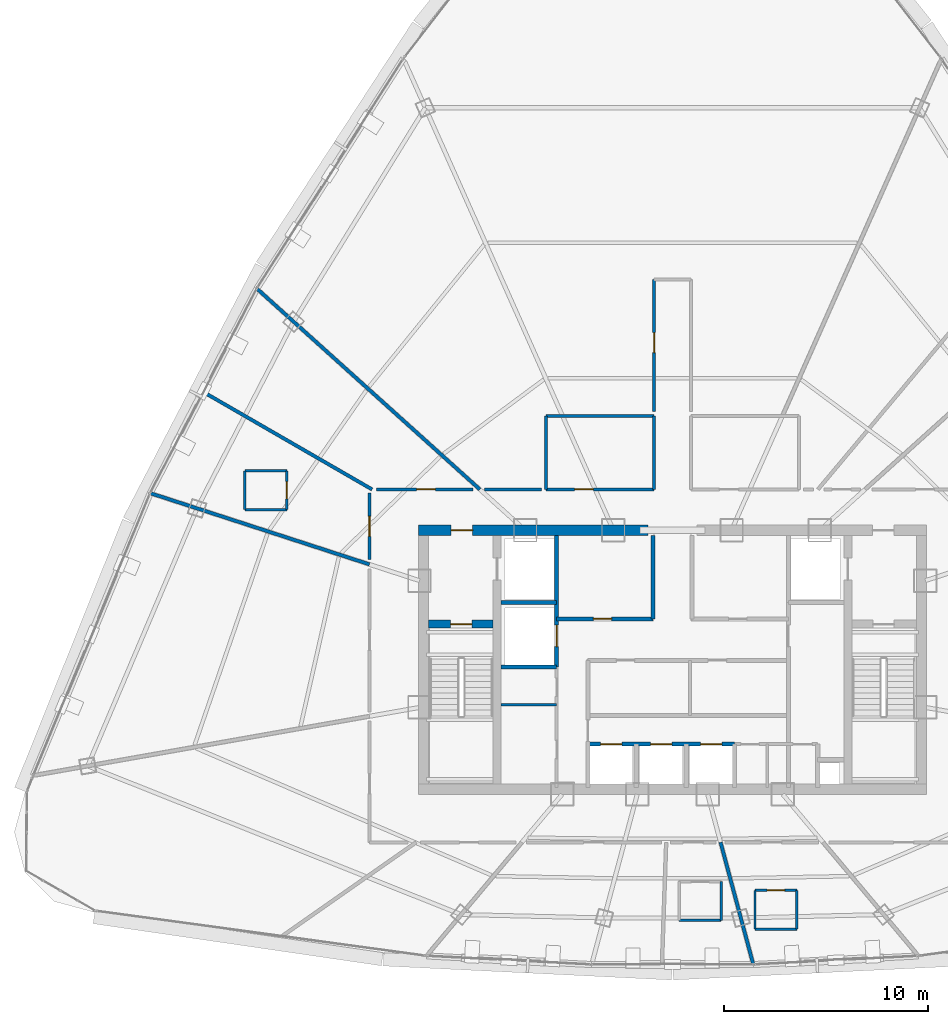
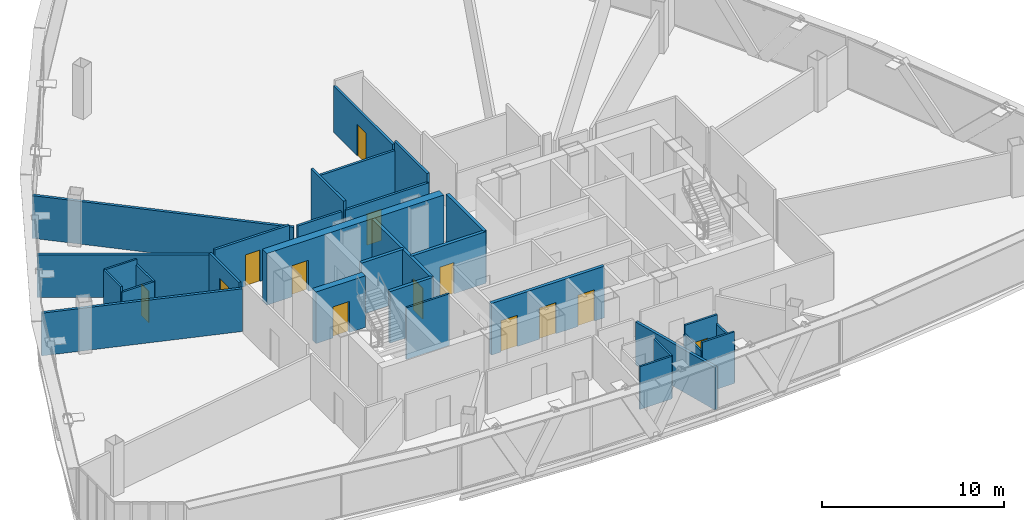
# One storey, part 34 of 39: 31 walls, 13 doors, 13 openings.
"""IFC4 building model written with IfcOpenShell, lengths in metres."""

from ifc_helpers import new_model, si_unit, direction, frame, frame_2d, origin, origin_with_axes, place, context, subcontext, project, spatial, rectangle, extrude, source, transform, mapped, material, layer, layer_set, type_object, element, fill, save


model = new_model("IFC4")

# Units and contexts
model_context = context("Model", 3, precision=1e-05, world=origin(), true_north=direction((0.0, 1.0)))
body_context = subcontext(model_context, "Body", "Model", "MODEL_VIEW")
ifc_project = project(units=[si_unit("LENGTHUNIT", "METRE"), si_unit("AREAUNIT", "SQUARE_METRE"), si_unit("VOLUMEUNIT", "CUBIC_METRE"), si_unit("PLANEANGLEUNIT", "RADIAN"), si_unit("MASSUNIT", "GRAM", prefix="KILO"), si_unit("THERMODYNAMICTEMPERATUREUNIT", "KELVIN"), si_unit("POWERUNIT", "WATT")], contexts=[model_context])

# Site, building, storey
site_placement = place(None, origin())
site = spatial("IfcSite", under=ifc_project, at=site_placement, CompositionType="ELEMENT")
building_placement = place(site_placement, origin())
building = spatial("IfcBuilding", under=site, at=building_placement, Name="Yunzhuo Pagoda Commons", CompositionType="ELEMENT")
storey_placement = place(building_placement, frame((0.0, 0.0, 296.2099609375)))
storey = spatial("IfcBuildingStorey", under=building, at=storey_placement, Name="L74", CompositionType="ELEMENT", Elevation=296.2099609375)

# Wall, opening, door
ifc_material_1 = material(Name="Concrete C50", Category="concrete")
ifc_layer_1 = layer(ifc_material_1, 0.5)
ifc_layer_set_1 = layer_set([ifc_layer_1], Name="Concrete C50")
wall_type_1 = type_object("IfcWallType", Name="W-C03 Upper Core Shear Wall 500", PredefinedType="SHEAR", material=ifc_layer_set_1)
wall_1_placement = place(storey_placement, frame((35.550048828125, 40.199951171875, 0.0), z_axis=(0.0, 0.0, 1.0), x_axis=(1.0, 0.0, 0.0)))
wall_1 = element("IfcWall", 1, at=wall_1_placement, inside=storey, type_object=wall_type_1, Name="L74 core shear wall NW", PredefinedType="SHEAR", context=body_context, shape_type="SweptSolid", body=[
    extrude(rectangle(XDim=11.25, YDim=0.5, at=frame_2d((5.625, 0.0))), origin(), (0.0, 0.0, 1.0), 3.469970703125),
])
opening_1_placement = place(wall_1_placement, frame((1.60009765625, 0.0, 0.0)))
opening_1 = element("IfcOpeningElement", 2, at=opening_1_placement, cuts=wall_1, Name="Opening D-02", PredefinedType="OPENING", context=body_context, shape_type="SweptSolid", body=[
    extrude(rectangle(XDim=1.050048828125, YDim=2.10009765625, at=frame_2d((0.52490234375, 1.050048828125))), frame((0.0, 0.260009765625, 0.0), z_axis=(0.0, -1.0, 0.0), x_axis=(1.0, 0.0, 0.0)), (0.0, 0.0, 1.0), 0.52001953125),
])
ifc_material_2 = material(Name="Galvanized fire-resisting metal leaf")
door_type_1 = type_object("IfcDoorType", Name="D-02 Firefighting Lobby & Refuge Fire Door 1050x2100", OperationType="NOTDEFINED", PredefinedType="DOOR", material=ifc_material_2)
shared_shape_1 = source(origin(), body_context, "Body", "SweptSolid", [
    extrude(rectangle(XDim=1.050048828125, YDim=2.10009765625, at=frame_2d((0.52490234375, 1.050048828125))), frame((0.0, 0.02490234375, 0.0), z_axis=(0.0, -1.0, 0.0), x_axis=(1.0, 0.0, 0.0)), (0.0, 0.0, 1.0), 0.050048828125),
])
door_1_placement = place(opening_1_placement, frame((1.050048828125, 0.0, 0.0), z_axis=(0.0, 0.0, 1.0), x_axis=(-1.0, 0.0, 0.0)))
door_1 = element("IfcDoor", 3, at=door_1_placement, inside=storey, type_object=door_type_1, Name="L74 Firefighting Lobby 1 fire door", OperationType="SINGLE_SWING_LEFT", OverallHeight=2.10009765625, OverallWidth=1.050048828125, PredefinedType="DOOR", context=body_context, shape_type="MappedRepresentation", body=[
    mapped(shared_shape_1, transform((0.0, 0.0, 0.0), scale=1.0)),
])
fill(opening_1, door_1)

ifc_material_3 = material(Name="Gypsum plasterboard on acoustic stud")
ifc_layer_2 = layer(ifc_material_3, 0.14990234375)
ifc_layer_set_2 = layer_set([ifc_layer_2], Name="Gypsum plasterboard on acoustic stud")
wall_type_2 = type_object("IfcWallType", Name="W-COR3 High-Zone Rated Corridor Wall 150", PredefinedType="PARTITIONING", material=ifc_layer_set_2)
wall_2_placement = place(storey_placement, frame((41.800048828125, 42.199951171875, 0.0), z_axis=(0.0, 0.0, 1.0), x_axis=(1.0, 0.0, 0.0)))
wall_2 = element("IfcWall", 4, at=wall_2_placement, inside=storey, type_object=wall_type_2, Name="L74 interior wall IW-L74-TFWS", PredefinedType="PARTITIONING", context=body_context, shape_type="SweptSolid", body=[
    extrude(rectangle(XDim=5.300048828125, YDim=0.14990234375, at=frame_2d((2.64990234375, 0.0))), origin(), (0.0, 0.0, 1.0), 2.8701171875),
])
opening_2_placement = place(wall_2_placement, frame((1.39990234375, 0.0, 0.0)))
opening_2 = element("IfcOpeningElement", 5, at=opening_2_placement, cuts=wall_2, Name="Opening D-04", PredefinedType="OPENING", context=body_context, shape_type="SweptSolid", body=[
    extrude(rectangle(XDim=0.919921875, YDim=2.10009765625, at=frame_2d((0.4599609375, 1.050048828125))), frame((0.0, 0.0849609375, 0.0), z_axis=(0.0, -1.0, 0.0), x_axis=(1.0, 0.0, 0.0)), (0.0, 0.0, 1.0), 0.169921875),
])
ifc_material_4 = material(Name="Powder-coated aluminium and timber acoustic leaf", Category="wood")
door_type_2 = type_object("IfcDoorType", Name="D-04 Bedroom & Study Interior Door 920x2100", OperationType="NOTDEFINED", PredefinedType="DOOR", material=ifc_material_4)
shared_shape_2 = source(origin(), body_context, "Body", "SweptSolid", [
    extrude(rectangle(XDim=0.919921875, YDim=2.10009765625, at=frame_2d((0.4599609375, 1.050048828125))), frame((0.0, 0.02490234375, 0.0), z_axis=(0.0, -1.0, 0.0), x_axis=(1.0, 0.0, 0.0)), (0.0, 0.0, 1.0), 0.050048828125),
])
door_2_placement = place(opening_2_placement, frame((0.919921875, 0.0, 0.0), z_axis=(0.0, 0.0, 1.0), x_axis=(-1.0, 0.0, 0.0)))
door_2 = element("IfcDoor", 6, at=door_2_placement, inside=storey, type_object=door_type_2, Name="L74 laundry door", OperationType="SINGLE_SWING_LEFT", OverallHeight=2.10009765625, OverallWidth=0.919921875, PredefinedType="DOOR", context=body_context, shape_type="MappedRepresentation", body=[
    mapped(shared_shape_2, transform((0.0, 0.0, 0.0), scale=1.0)),
])
fill(opening_2, door_2)

# Walls
wall_3_placement = place(storey_placement, frame((41.800048828125, 45.800048828125, 0.0), z_axis=(0.0, 0.0, 1.0), x_axis=(1.0, 0.0, 0.0)))
element("IfcWall", 7, at=wall_3_placement, inside=storey, type_object=wall_type_2, Name="L74 interior wall IW-L74-TFWN", PredefinedType="PARTITIONING", context=body_context, shape_type="SweptSolid", body=[
    extrude(rectangle(XDim=5.300048828125, YDim=0.14990234375, at=frame_2d((2.64990234375, 0.0))), origin(), (0.0, 0.0, 1.0), 2.8701171875),
])
for number, where, z_axis, x_axis, name in (
    (8, (41.800048828125, 42.199951171875, 0.0), (0.0, 0.0, 1.0), (0.0, 1.0, 0.0), "L74 interior wall IW-L74-TFWW"),
    (9, (47.10009765625, 42.199951171875, 0.0), (0.0, 0.0, 1.0), (0.0, 1.0, 0.0), "L74 interior wall IW-L74-TFWE"),
):
    element("IfcWall", number, at=place(storey_placement, frame(where, z_axis=z_axis, x_axis=x_axis)), inside=storey, type_object=wall_type_2, Name=name, PredefinedType="PARTITIONING", context=body_context, shape_type="SweptSolid", body=[
        extrude(rectangle(XDim=3.60009765625, YDim=0.14990234375, at=frame_2d((1.800048828125, 0.0))), origin(), (0.0, 0.0, 1.0), 3.469970703125),
    ])

# Wall, opening, door
wall_4_placement = place(storey_placement, frame((33.14990234375, 38.75634765625, 0.0), z_axis=(0.0, 0.0, 1.0), x_axis=(0.0, 1.0, 0.0)))
wall_4 = element("IfcWall", 10, at=wall_4_placement, inside=storey, type_object=wall_type_2, Name="L74 interior wall IW-L74-CWL03", PredefinedType="PARTITIONING", context=body_context, shape_type="SweptSolid", body=[
    extrude(rectangle(XDim=3.26318359375, YDim=0.14990234375, at=frame_2d((1.631591796875, 0.0))), origin(), (0.0, 0.0, 1.0), 3.1201171875),
])
opening_3_placement = place(wall_4_placement, frame((1.140380859375, 0.0, 0.0)))
opening_3 = element("IfcOpeningElement", 11, at=opening_3_placement, cuts=wall_4, Name="Opening D-08", PredefinedType="OPENING", context=body_context, shape_type="SweptSolid", body=[
    extrude(rectangle(XDim=0.97998046875, YDim=2.1201171875, at=frame_2d((0.489990234375, 1.06005859375))), frame((0.0, 0.0849609375, 0.0), z_axis=(0.0, -1.0, 0.0), x_axis=(1.0, 0.0, 0.0)), (0.0, 0.0, 1.0), 0.169921875),
])
door_type_3 = type_object("IfcDoorType", Name="D-08 High-Zone Suite Entrance Fire Door 980x2120", OperationType="NOTDEFINED", PredefinedType="DOOR", material=ifc_material_2)
shared_shape_3 = source(origin(), body_context, "Body", "SweptSolid", [
    extrude(rectangle(XDim=0.97998046875, YDim=2.1201171875, at=frame_2d((0.489990234375, 1.06005859375))), frame((0.0, 0.02490234375, 0.0), z_axis=(0.0, -1.0, 0.0), x_axis=(1.0, 0.0, 0.0)), (0.0, 0.0, 1.0), 0.050048828125),
])
door_3_placement = place(opening_3_placement, origin_with_axes())
door_3 = element("IfcDoor", 12, at=door_3_placement, inside=storey, type_object=door_type_3, Name="L74 unit 07 entrance door", OperationType="SINGLE_SWING_RIGHT", OverallHeight=2.1201171875, OverallWidth=0.97998046875, PredefinedType="DOOR", context=body_context, shape_type="MappedRepresentation", body=[
    mapped(shared_shape_3, transform((0.0, 0.0, 0.0), scale=1.0)),
])
fill(opening_3, door_3)

wall_5_placement = place(storey_placement, frame((33.497314453125, 42.199951171875, 0.0), z_axis=(0.0, 0.0, 1.0), x_axis=(1.0, 0.0, 0.0)))
wall_5 = element("IfcWall", 13, at=wall_5_placement, inside=storey, type_object=wall_type_2, Name="L74 interior wall IW-L74-CWL04", PredefinedType="PARTITIONING", context=body_context, shape_type="SweptSolid", body=[
    extrude(rectangle(XDim=4.733642578125, YDim=0.14990234375, at=frame_2d((2.36669921875, 0.0))), origin(), (0.0, 0.0, 1.0), 3.1201171875),
])
opening_4_placement = place(wall_5_placement, frame((1.961181640625, 0.0, 0.0)))
opening_4 = element("IfcOpeningElement", 14, at=opening_4_placement, cuts=wall_5, Name="Opening D-04", PredefinedType="OPENING", context=body_context, shape_type="SweptSolid", body=[
    extrude(rectangle(XDim=0.919921875, YDim=2.10009765625, at=frame_2d((0.4599609375, 1.050048828125))), frame((0.0, 0.0849609375, 0.0), z_axis=(0.0, -1.0, 0.0), x_axis=(1.0, 0.0, 0.0)), (0.0, 0.0, 1.0), 0.169921875),
])
door_4_placement = place(opening_4_placement, origin_with_axes())
door_4 = element("IfcDoor", 15, at=door_4_placement, inside=storey, type_object=door_type_2, Name="L74 seminar room 06 door", OperationType="SINGLE_SWING_LEFT", OverallHeight=2.10009765625, OverallWidth=0.919921875, PredefinedType="DOOR", context=body_context, shape_type="MappedRepresentation", body=[
    mapped(shared_shape_2, transform((0.0, 0.0, 0.0), scale=1.0)),
])
fill(opening_4, door_4)

# Wall
wall_6_placement = place(storey_placement, frame((38.779541015625, 42.199951171875, 0.0), z_axis=(0.0, 0.0, 1.0), x_axis=(1.0, 0.0, 0.0)))
element("IfcWall", 16, at=wall_6_placement, inside=storey, type_object=wall_type_2, Name="L74 interior wall IW-L74-CWL05", PredefinedType="PARTITIONING", context=body_context, shape_type="SweptSolid", body=[
    extrude(rectangle(XDim=2.800537109375, YDim=0.14990234375, at=frame_2d((1.400390625, 0.0))), origin(), (0.0, 0.0, 1.0), 2.8701171875),
])

# Wall, opening, door
wall_7_placement = place(storey_placement, frame((47.10009765625, 46.02001953125, 0.0), z_axis=(0.0, 0.0, 1.0), x_axis=(0.0, 1.0, 0.0)))
wall_7 = element("IfcWall", 17, at=wall_7_placement, inside=storey, type_object=wall_type_2, Name="L74 interior wall IW-L74-CWL06", PredefinedType="PARTITIONING", context=body_context, shape_type="SweptSolid", body=[
    extrude(rectangle(XDim=6.47998046875, YDim=0.14990234375, at=frame_2d((3.239990234375, 0.0))), origin(), (0.0, 0.0, 1.0), 3.1201171875),
])
opening_5_placement = place(wall_7_placement, frame((2.885009765625, 0.0, 0.0)))
opening_5 = element("IfcOpeningElement", 18, at=opening_5_placement, cuts=wall_7, Name="Opening D-08", PredefinedType="OPENING", context=body_context, shape_type="SweptSolid", body=[
    extrude(rectangle(XDim=0.97998046875, YDim=2.1201171875, at=frame_2d((0.489990234375, 1.06005859375))), frame((0.0, 0.0849609375, 0.0), z_axis=(0.0, -1.0, 0.0), x_axis=(1.0, 0.0, 0.0)), (0.0, 0.0, 1.0), 0.169921875),
])
door_5_placement = place(opening_5_placement, origin_with_axes())
door_5 = element("IfcDoor", 19, at=door_5_placement, inside=storey, type_object=door_type_3, Name="L74 Shared Resident Kitchen and Pantry door", OperationType="SINGLE_SWING_RIGHT", OverallHeight=2.1201171875, OverallWidth=0.97998046875, PredefinedType="DOOR", context=body_context, shape_type="MappedRepresentation", body=[
    mapped(shared_shape_3, transform((0.0, 0.0, 0.0), scale=1.0)),
])
fill(opening_5, door_5)

# Walls
ifc_layer_3 = layer(ifc_material_3, 0.1201171875)
ifc_layer_set_3 = layer_set([ifc_layer_3], Name="Gypsum plasterboard on acoustic stud")
wall_type_3 = type_object("IfcWallType", Name="W-PRT1 Suite & Bathroom Partition 120", PredefinedType="PARTITIONING", material=ifc_layer_set_3)
wall_8_placement = place(storey_placement, frame((39.60009765625, 31.64990234375, 0.0), z_axis=(0.0, 0.0, 1.0), x_axis=(1.0, 0.0, 0.0)))
element("IfcWall", 20, at=wall_8_placement, inside=storey, type_object=wall_type_3, Name="L74 interior wall IW-L74-CD1", PredefinedType="PARTITIONING", context=body_context, shape_type="SweptSolid", body=[
    extrude(rectangle(XDim=2.719970703125, YDim=0.1201171875, at=frame_2d((1.35986328125, 0.0))), origin(), (0.0, 0.0, 1.0), 3.469970703125),
])
wall_9_placement = place(storey_placement, frame((27.0458984375, 41.212890625, 0.0), z_axis=(0.0, 0.0, 1.0), x_axis=(1.0, 0.0, 0.0)))
element("IfcWall", 21, at=wall_9_placement, inside=storey, type_object=wall_type_3, Name="L74 interior wall IW-L74-B07S", PredefinedType="PARTITIONING", context=body_context, shape_type="SweptSolid", body=[
    extrude(rectangle(XDim=2.050048828125, YDim=0.1201171875, at=frame_2d((1.02490234375, 0.0))), origin(), (0.0, 0.0, 1.0), 3.1201171875),
])

# Wall, opening, door
wall_10_placement = place(storey_placement, frame((29.095947265625, 41.212890625, 0.0), z_axis=(0.0, 0.0, 1.0), x_axis=(0.0, 1.0, 0.0)))
wall_10 = element("IfcWall", 22, at=wall_10_placement, inside=storey, type_object=wall_type_3, Name="L74 interior wall IW-L74-B07E", PredefinedType="PARTITIONING", context=body_context, shape_type="SweptSolid", body=[
    extrude(rectangle(XDim=1.900146484375, YDim=0.1201171875, at=frame_2d((0.9501953125, 0.0))), origin(), (0.0, 0.0, 1.0), 3.1201171875),
])
opening_6_placement = place(wall_10_placement, frame((0.52490234375, 0.0, 0.0)))
opening_6 = element("IfcOpeningElement", 23, at=opening_6_placement, cuts=wall_10, Name="Opening D-05", PredefinedType="OPENING", context=body_context, shape_type="SweptSolid", body=[
    extrude(rectangle(XDim=0.85009765625, YDim=2.10009765625, at=frame_2d((0.425048828125, 1.050048828125))), frame((0.0, 0.070068359375, 0.0), z_axis=(0.0, -1.0, 0.0), x_axis=(1.0, 0.0, 0.0)), (0.0, 0.0, 1.0), 0.14013671875),
])
door_type_4 = type_object("IfcDoorType", Name="D-05 En-Suite Bathroom Door 850x2100", OperationType="NOTDEFINED", PredefinedType="DOOR", material=ifc_material_4)
shared_shape_4 = source(origin(), body_context, "Body", "SweptSolid", [
    extrude(rectangle(XDim=0.85009765625, YDim=2.10009765625, at=frame_2d((0.425048828125, 1.050048828125))), frame((0.0, 0.02490234375, 0.0), z_axis=(0.0, -1.0, 0.0), x_axis=(1.0, 0.0, 0.0)), (0.0, 0.0, 1.0), 0.050048828125),
])
door_6_placement = place(opening_6_placement, frame((0.85009765625, 0.0, 0.0), z_axis=(0.0, 0.0, 1.0), x_axis=(-1.0, 0.0, 0.0)))
door_6 = element("IfcDoor", 24, at=door_6_placement, inside=storey, type_object=door_type_4, Name="L74 unit 07 bathroom door", OperationType="SINGLE_SWING_RIGHT", OverallHeight=2.10009765625, OverallWidth=0.85009765625, PredefinedType="DOOR", context=body_context, shape_type="MappedRepresentation", body=[
    mapped(shared_shape_4, transform((0.0, 0.0, 0.0), scale=1.0)),
])
fill(opening_6, door_6)

# Walls
wall_11_placement = place(storey_placement, frame((29.095947265625, 43.113037109375, 0.0), z_axis=(0.0, 0.0, 1.0), x_axis=(-1.0, 0.0, 0.0)))
element("IfcWall", 25, at=wall_11_placement, inside=storey, type_object=wall_type_3, Name="L74 interior wall IW-L74-B07N", PredefinedType="PARTITIONING", context=body_context, shape_type="SweptSolid", body=[
    extrude(rectangle(XDim=2.050048828125, YDim=0.1201171875, at=frame_2d((1.02490234375, 0.0))), origin(), (0.0, 0.0, 1.0), 3.469970703125),
])
wall_12_placement = place(storey_placement, frame((27.0458984375, 43.113037109375, 0.0), z_axis=(0.0, 0.0, 1.0), x_axis=(0.0, -1.0, 0.0)))
element("IfcWall", 26, at=wall_12_placement, inside=storey, type_object=wall_type_3, Name="L74 interior wall IW-L74-B07W", PredefinedType="PARTITIONING", context=body_context, shape_type="SweptSolid", body=[
    extrude(rectangle(XDim=1.900146484375, YDim=0.1201171875, at=frame_2d((0.9501953125, 0.0))), origin(), (0.0, 0.0, 1.0), 3.469970703125),
])
wall_13_placement = place(storey_placement, frame((48.3310546875, 21.074951171875, 0.0), z_axis=(0.0, 0.0, 1.0), x_axis=(1.0, 0.0, 0.0)))
element("IfcWall", 27, at=wall_13_placement, inside=storey, type_object=wall_type_3, Name="L74 interior wall IW-L74-B12S", PredefinedType="PARTITIONING", context=body_context, shape_type="SweptSolid", body=[
    extrude(rectangle(XDim=2.050048828125, YDim=0.1201171875, at=frame_2d((1.02490234375, 0.0))), origin(), (0.0, 0.0, 1.0), 2.8701171875),
])
wall_14_placement = place(storey_placement, frame((50.381103515625, 21.074951171875, 0.0), z_axis=(0.0, 0.0, 1.0), x_axis=(0.0, 1.0, 0.0)))
element("IfcWall", 28, at=wall_14_placement, inside=storey, type_object=wall_type_3, Name="L74 interior wall IW-L74-B12E", PredefinedType="PARTITIONING", context=body_context, shape_type="SweptSolid", body=[
    extrude(rectangle(XDim=1.900146484375, YDim=0.1201171875, at=frame_2d((0.9501953125, 0.0))), origin(), (0.0, 0.0, 1.0), 2.8701171875),
])
wall_15_placement = place(storey_placement, frame((52.044921875, 20.64306640625, 0.0), z_axis=(0.0, 0.0, 1.0), x_axis=(1.0, 0.0, 0.0)))
element("IfcWall", 29, at=wall_15_placement, inside=storey, type_object=wall_type_3, Name="L74 interior wall IW-L74-B13S", PredefinedType="PARTITIONING", context=body_context, shape_type="SweptSolid", body=[
    extrude(rectangle(XDim=2.050048828125, YDim=0.1201171875, at=frame_2d((1.02490234375, 0.0))), origin(), (0.0, 0.0, 1.0), 3.469970703125),
])
wall_16_placement = place(storey_placement, frame((54.094970703125, 20.64306640625, 0.0), z_axis=(0.0, 0.0, 1.0), x_axis=(0.0, 1.0, 0.0)))
element("IfcWall", 30, at=wall_16_placement, inside=storey, type_object=wall_type_3, Name="L74 interior wall IW-L74-B13E", PredefinedType="PARTITIONING", context=body_context, shape_type="SweptSolid", body=[
    extrude(rectangle(XDim=1.89990234375, YDim=0.1201171875, at=frame_2d((0.949951171875, 0.0))), origin(), (0.0, 0.0, 1.0), 2.8701171875),
])

# Wall, opening, door
wall_17_placement = place(storey_placement, frame((54.094970703125, 22.54296875, 0.0), z_axis=(0.0, 0.0, 1.0), x_axis=(-1.0, 0.0, 0.0)))
wall_17 = element("IfcWall", 31, at=wall_17_placement, inside=storey, type_object=wall_type_3, Name="L74 interior wall IW-L74-B13N", PredefinedType="PARTITIONING", context=body_context, shape_type="SweptSolid", body=[
    extrude(rectangle(XDim=2.050048828125, YDim=0.1201171875, at=frame_2d((1.02490234375, 0.0))), origin(), (0.0, 0.0, 1.0), 3.469970703125),
])
opening_7_placement = place(wall_17_placement, frame((0.60009765625, 0.0, 0.0)))
opening_7 = element("IfcOpeningElement", 32, at=opening_7_placement, cuts=wall_17, Name="Opening D-05", PredefinedType="OPENING", context=body_context, shape_type="SweptSolid", body=[
    extrude(rectangle(XDim=0.85009765625, YDim=2.10009765625, at=frame_2d((0.425048828125, 1.050048828125))), frame((0.0, 0.070068359375, 0.0), z_axis=(0.0, -1.0, 0.0), x_axis=(1.0, 0.0, 0.0)), (0.0, 0.0, 1.0), 0.14013671875),
])
door_7_placement = place(opening_7_placement, frame((0.85009765625, 0.0, 0.0), z_axis=(0.0, 0.0, 1.0), x_axis=(-1.0, 0.0, 0.0)))
door_7 = element("IfcDoor", 33, at=door_7_placement, inside=storey, type_object=door_type_4, Name="L74 unit 13 bathroom door", OperationType="SINGLE_SWING_RIGHT", OverallHeight=2.10009765625, OverallWidth=0.85009765625, PredefinedType="DOOR", context=body_context, shape_type="MappedRepresentation", body=[
    mapped(shared_shape_4, transform((0.0, 0.0, 0.0), scale=1.0)),
])
fill(opening_7, door_7)

# Walls
wall_18_placement = place(storey_placement, frame((52.044921875, 22.54296875, 0.0), z_axis=(0.0, 0.0, 1.0), x_axis=(0.0, -1.0, 0.0)))
element("IfcWall", 34, at=wall_18_placement, inside=storey, type_object=wall_type_3, Name="L74 interior wall IW-L74-B13W", PredefinedType="PARTITIONING", context=body_context, shape_type="SweptSolid", body=[
    extrude(rectangle(XDim=1.89990234375, YDim=0.1201171875, at=frame_2d((0.949951171875, 0.0))), origin(), (0.0, 0.0, 1.0), 2.8701171875),
])
ifc_layer_4 = layer(ifc_material_3, 0.169921875)
ifc_layer_set_4 = layer_set([ifc_layer_4], Name="Gypsum plasterboard on acoustic stud")
wall_type_4 = type_object("IfcWallType", Name="W-PRT4 High-Zone Demising Wall 170", PredefinedType="PARTITIONING", material=ifc_layer_set_4)
wall_19_placement = place(storey_placement, frame((38.559814453125, 42.199951171875, 0.0), z_axis=(0.0, 0.0, 1.0), x_axis=(-0.743145593795, 0.669129753055, 0.0)))
element("IfcWall", 35, at=wall_19_placement, inside=storey, type_object=wall_type_4, Name="L74 interior wall IW-L74-RAD05", PredefinedType="PARTITIONING", context=body_context, shape_type="SweptSolid", body=[
    extrude(rectangle(XDim=14.711181640625, YDim=0.169921875, at=frame_2d((7.35546875, 0.0))), origin(), (0.0, 0.0, 1.0), 2.8701171875),
])
wall_20_placement = place(storey_placement, frame((33.277587890625, 42.199951171875, 0.0), z_axis=(0.0, 0.0, 1.0), x_axis=(-0.866033492747, 0.499985989244, 0.0)))
element("IfcWall", 36, at=wall_20_placement, inside=storey, type_object=wall_type_4, Name="L74 interior wall IW-L74-RAD06", PredefinedType="PARTITIONING", context=body_context, shape_type="SweptSolid", body=[
    extrude(rectangle(XDim=9.569580078125, YDim=0.169921875, at=frame_2d((4.78466796875, 0.0))), origin(), (0.0, 0.0, 1.0), 2.8701171875),
])
wall_21_placement = place(storey_placement, frame((33.14990234375, 38.525146484375, 0.0), z_axis=(0.0, 0.0, 1.0), x_axis=(-0.951060099206, 0.309005967092, 0.0)))
element("IfcWall", 37, at=wall_21_placement, inside=storey, type_object=wall_type_4, Name="L74 interior wall IW-L74-RAD07", PredefinedType="PARTITIONING", context=body_context, shape_type="SweptSolid", body=[
    extrude(rectangle(XDim=11.30224609375, YDim=0.169921875, at=frame_2d((5.651123046875, 0.0))), origin(), (0.0, 0.0, 1.0), 2.8701171875),
])
wall_22_placement = place(storey_placement, frame((50.35791015625, 24.89990234375, 0.0), z_axis=(0.0, 0.0, 1.0), x_axis=(0.258843673448, -0.965919226807, 0.0)))
element("IfcWall", 38, at=wall_22_placement, inside=storey, type_object=wall_type_4, Name="L74 interior wall IW-L74-RAD12", PredefinedType="PARTITIONING", context=body_context, shape_type="SweptSolid", body=[
    extrude(rectangle(XDim=6.20068359375, YDim=0.169921875, at=frame_2d((3.100341796875, 0.0))), origin(), (0.0, 0.0, 1.0), 2.8701171875),
])

# Wall, opening, door
ifc_material_5 = material(Name="Concrete C60", Category="concrete")
ifc_layer_5 = layer(ifc_material_5, 0.39990234375)
ifc_layer_set_5 = layer_set([ifc_layer_5], Name="Concrete C60")
wall_type_5 = type_object("IfcWallType", Name="W-S01 Internal Core Shear Web 400", PredefinedType="SHEAR", material=ifc_layer_set_5)
wall_23_placement = place(storey_placement, frame((36.050048828125, 35.60009765625, 0.0), z_axis=(0.0, 0.0, 1.0), x_axis=(1.0, 0.0, 0.0)))
wall_23 = element("IfcWall", 39, at=wall_23_placement, inside=storey, type_object=wall_type_5, Name="L74 core shear wall STW", PredefinedType="SHEAR", context=body_context, shape_type="SweptSolid", body=[
    extrude(rectangle(XDim=3.14990234375, YDim=0.39990234375, at=frame_2d((1.574951171875, 0.0))), origin(), (0.0, 0.0, 1.0), 3.469970703125),
])
opening_8_placement = place(wall_23_placement, frame((1.070068359375, 0.0, 0.0)))
opening_8 = element("IfcOpeningElement", 40, at=opening_8_placement, cuts=wall_23, Name="Opening D-01", PredefinedType="OPENING", context=body_context, shape_type="SweptSolid", body=[
    extrude(rectangle(XDim=1.050048828125, YDim=2.10009765625, at=frame_2d((0.52490234375, 1.050048828125))), frame((0.0, 0.2099609375, 0.0), z_axis=(0.0, -1.0, 0.0), x_axis=(1.0, 0.0, 0.0)), (0.0, 0.0, 1.0), 0.419921875),
])
door_type_5 = type_object("IfcDoorType", Name="D-01 Smokeproof Stair Fire Door 1050x2100", OperationType="NOTDEFINED", PredefinedType="DOOR", material=ifc_material_2)
door_8_placement = place(opening_8_placement, frame((1.050048828125, 0.0, 0.0), z_axis=(0.0, 0.0, 1.0), x_axis=(-1.0, 0.0, 0.0)))
door_8 = element("IfcDoor", 41, at=door_8_placement, inside=storey, type_object=door_type_5, Name="L74 Stair ST1 fire door", OperationType="SINGLE_SWING_LEFT", OverallHeight=2.10009765625, OverallWidth=1.050048828125, PredefinedType="DOOR", context=body_context, shape_type="MappedRepresentation", body=[
    mapped(shared_shape_1, transform((0.0, 0.0, 0.0), scale=1.0)),
])
fill(opening_8, door_8)

ifc_material_6 = material(Name="Concrete C40", Category="concrete")
ifc_layer_6 = layer(ifc_material_6, 0.199951171875)
ifc_layer_set_6 = layer_set([ifc_layer_6], Name="Concrete C40")
wall_type_6 = type_object("IfcWallType", Name="W-SHF Shaft & Stair Enclosure Wall 200", PredefinedType="SOLIDWALL", material=ifc_layer_set_6)
wall_24_placement = place(storey_placement, frame((42.320068359375, 33.5, 0.0), z_axis=(0.0, 0.0, 1.0), x_axis=(0.0, 1.0, 0.0)))
wall_24 = element("IfcWall", 42, at=wall_24_placement, inside=storey, type_object=wall_type_6, Name="L74 interior wall IW-L74-FL1E", PredefinedType="SOLIDWALL", context=body_context, shape_type="SweptSolid", body=[
    extrude(rectangle(XDim=6.449951171875, YDim=0.199951171875, at=frame_2d((3.22509765625, 0.0))), origin(), (0.0, 0.0, 1.0), 3.469970703125),
])
opening_9_placement = place(wall_24_placement, frame((1.0, 0.0, 0.0)))
opening_9 = element("IfcOpeningElement", 43, at=opening_9_placement, cuts=wall_24, Name="Opening LD-02", PredefinedType="OPENING", context=body_context, shape_type="SweptSolid", body=[
    extrude(rectangle(XDim=1.050048828125, YDim=2.10009765625, at=frame_2d((0.52490234375, 1.050048828125))), frame((0.0, 0.10986328125, 0.0), z_axis=(0.0, -1.0, 0.0), x_axis=(1.0, 0.0, 0.0)), (0.0, 0.0, 1.0), 0.219970703125),
])
door_type_6 = type_object("IfcDoorType", Name="LD-02 Passenger Lift Landing Door 1050x2100", OperationType="DOUBLE_DOOR_SLIDING", PredefinedType="DOOR", material=ifc_material_2)
door_9_placement = place(opening_9_placement, origin_with_axes())
door_9 = element("IfcDoor", 44, at=door_9_placement, inside=storey, type_object=door_type_6, Name="L74 Service lift SL-1 landing door", OperationType="DOUBLE_DOOR_SLIDING", OverallHeight=2.10009765625, OverallWidth=1.050048828125, PredefinedType="DOOR", context=body_context, shape_type="MappedRepresentation", body=[
    mapped(shared_shape_1, transform((0.0, 0.0, 0.0), scale=1.0)),
])
fill(opening_9, door_9)

# Walls
for number, where, z_axis, x_axis, name in (
    (45, (39.60009765625, 36.64990234375, 0.0), (0.0, 0.0, 1.0), (1.0, 0.0, 0.0), "L74 interior wall IW-L74-FL1S"),
    (46, (39.60009765625, 33.5, 0.0), (0.0, 0.0, 1.0), (1.0, 0.0, 0.0), "L74 interior wall IW-L74-SL1S"),
):
    element("IfcWall", number, at=place(storey_placement, frame(where, z_axis=z_axis, x_axis=x_axis)), inside=storey, type_object=wall_type_6, Name=name, PredefinedType="SOLIDWALL", context=body_context, shape_type="SweptSolid", body=[
        extrude(rectangle(XDim=2.719970703125, YDim=0.199951171875, at=frame_2d((1.35986328125, 0.0))), origin(), (0.0, 0.0, 1.0), 3.469970703125),
    ])

# Wall, opening, door
wall_25_placement = place(storey_placement, frame((42.320068359375, 35.85009765625, 0.0), z_axis=(0.0, 0.0, 1.0), x_axis=(1.0, 0.0, 0.0)))
wall_25 = element("IfcWall", 47, at=wall_25_placement, inside=storey, type_object=wall_type_6, Name="L74 interior wall IW-L74-LBNW", PredefinedType="SOLIDWALL", context=body_context, shape_type="SweptSolid", body=[
    extrude(rectangle(XDim=4.72998046875, YDim=0.199951171875, at=frame_2d((2.364990234375, 0.0))), origin(), (0.0, 0.0, 1.0), 3.469970703125),
])
opening_10_placement = place(wall_25_placement, frame((1.800048828125, 0.0, 0.0)))
opening_10 = element("IfcOpeningElement", 48, at=opening_10_placement, cuts=wall_25, Name="Opening D-03", PredefinedType="OPENING", context=body_context, shape_type="SweptSolid", body=[
    extrude(rectangle(XDim=0.89990234375, YDim=2.10009765625, at=frame_2d((0.449951171875, 1.050048828125))), frame((0.0, 0.10986328125, 0.0), z_axis=(0.0, -1.0, 0.0), x_axis=(1.0, 0.0, 0.0)), (0.0, 0.0, 1.0), 0.219970703125),
])
door_type_7 = type_object("IfcDoorType", Name="D-03 Core Service Fire Door 900x2100", OperationType="NOTDEFINED", PredefinedType="DOOR", material=ifc_material_2)
shared_shape_5 = source(origin(), body_context, "Body", "SweptSolid", [
    extrude(rectangle(XDim=0.89990234375, YDim=2.10009765625, at=frame_2d((0.449951171875, 1.050048828125))), frame((0.0, 0.02490234375, 0.0), z_axis=(0.0, -1.0, 0.0), x_axis=(1.0, 0.0, 0.0)), (0.0, 0.0, 1.0), 0.050048828125),
])
door_10_placement = place(opening_10_placement, frame((0.89990234375, 0.0, 0.0), z_axis=(0.0, 0.0, 1.0), x_axis=(-1.0, 0.0, 0.0)))
door_10 = element("IfcDoor", 49, at=door_10_placement, inside=storey, type_object=door_type_7, Name="L74 core west store door", OperationType="SINGLE_SWING_LEFT", OverallHeight=2.10009765625, OverallWidth=0.89990234375, PredefinedType="DOOR", context=body_context, shape_type="MappedRepresentation", body=[
    mapped(shared_shape_5, transform((0.0, 0.0, 0.0), scale=1.0)),
])
fill(opening_10, door_10)

# Wall
wall_26_placement = place(storey_placement, frame((47.050048828125, 35.85009765625, 0.0), z_axis=(0.0, 0.0, 1.0), x_axis=(0.0, 1.0, 0.0)))
element("IfcWall", 50, at=wall_26_placement, inside=storey, type_object=wall_type_6, Name="L74 interior wall IW-L74-THRW", PredefinedType="SOLIDWALL", context=body_context, shape_type="SweptSolid", body=[
    extrude(rectangle(XDim=4.099853515625, YDim=0.199951171875, at=frame_2d((2.0498046875, 0.0))), origin(), (0.0, 0.0, 1.0), 3.469970703125),
])

# Wall, openings, doors
wall_27_placement = place(storey_placement, frame((43.85009765625, 29.719970703125, 0.0), z_axis=(0.0, 0.0, 1.0), x_axis=(1.0, 0.0, 0.0)))
wall_27 = element("IfcWall", 51, at=wall_27_placement, inside=storey, type_object=wall_type_6, Name="L74 interior wall IW-L74-PLHN", PredefinedType="SOLIDWALL", context=body_context, shape_type="SweptSolid", body=[
    extrude(rectangle(XDim=7.199951171875, YDim=0.199951171875, at=frame_2d((3.60009765625, 0.0))), origin(), (0.0, 0.0, 1.0), 3.469970703125),
])
opening_11_placement = place(wall_27_placement, frame((0.625, 0.0, 0.0)))
opening_11 = element("IfcOpeningElement", 52, at=opening_11_placement, cuts=wall_27, Name="Opening LD-02", PredefinedType="OPENING", context=body_context, shape_type="SweptSolid", body=[
    extrude(rectangle(XDim=1.050048828125, YDim=2.10009765625, at=frame_2d((0.52490234375, 1.050048828125))), frame((0.0, 0.10986328125, 0.0), z_axis=(0.0, -1.0, 0.0), x_axis=(1.0, 0.0, 0.0)), (0.0, 0.0, 1.0), 0.219970703125),
])
opening_12_placement = place(wall_27_placement, frame((3.074951171875, 0.0, 0.0)))
opening_12 = element("IfcOpeningElement", 53, at=opening_12_placement, cuts=wall_27, Name="Opening LD-02", PredefinedType="OPENING", context=body_context, shape_type="SweptSolid", body=[
    extrude(rectangle(XDim=1.050048828125, YDim=2.10009765625, at=frame_2d((0.52490234375, 1.050048828125))), frame((0.0, 0.10986328125, 0.0), z_axis=(0.0, -1.0, 0.0), x_axis=(1.0, 0.0, 0.0)), (0.0, 0.0, 1.0), 0.219970703125),
])
opening_13_placement = place(wall_27_placement, frame((5.52490234375, 0.0, 0.0)))
opening_13 = element("IfcOpeningElement", 54, at=opening_13_placement, cuts=wall_27, Name="Opening LD-02", PredefinedType="OPENING", context=body_context, shape_type="SweptSolid", body=[
    extrude(rectangle(XDim=1.050048828125, YDim=2.10009765625, at=frame_2d((0.52490234375, 1.050048828125))), frame((0.0, 0.10986328125, 0.0), z_axis=(0.0, -1.0, 0.0), x_axis=(1.0, 0.0, 0.0)), (0.0, 0.0, 1.0), 0.219970703125),
])
door_11_placement = place(opening_11_placement, origin_with_axes())
door_11 = element("IfcDoor", 55, at=door_11_placement, inside=storey, type_object=door_type_6, Name="L74 Passenger lift PL-H1 landing door", OperationType="DOUBLE_DOOR_SLIDING", OverallHeight=2.10009765625, OverallWidth=1.050048828125, PredefinedType="DOOR", context=body_context, shape_type="MappedRepresentation", body=[
    mapped(shared_shape_1, transform((0.0, 0.0, 0.0), scale=1.0)),
])
fill(opening_11, door_11)
door_12_placement = place(opening_12_placement, origin_with_axes())
door_12 = element("IfcDoor", 56, at=door_12_placement, inside=storey, type_object=door_type_6, Name="L74 Passenger lift PL-H2 landing door", OperationType="DOUBLE_DOOR_SLIDING", OverallHeight=2.10009765625, OverallWidth=1.050048828125, PredefinedType="DOOR", context=body_context, shape_type="MappedRepresentation", body=[
    mapped(shared_shape_1, transform((0.0, 0.0, 0.0), scale=1.0)),
])
fill(opening_12, door_12)
door_13_placement = place(opening_13_placement, origin_with_axes())
door_13 = element("IfcDoor", 57, at=door_13_placement, inside=storey, type_object=door_type_6, Name="L74 Passenger lift PL-H3 landing door", OperationType="DOUBLE_DOOR_SLIDING", OverallHeight=2.10009765625, OverallWidth=1.050048828125, PredefinedType="DOOR", context=body_context, shape_type="MappedRepresentation", body=[
    mapped(shared_shape_1, transform((0.0, 0.0, 0.0), scale=1.0)),
])
fill(opening_13, door_13)

save(model, "model.ifc")
